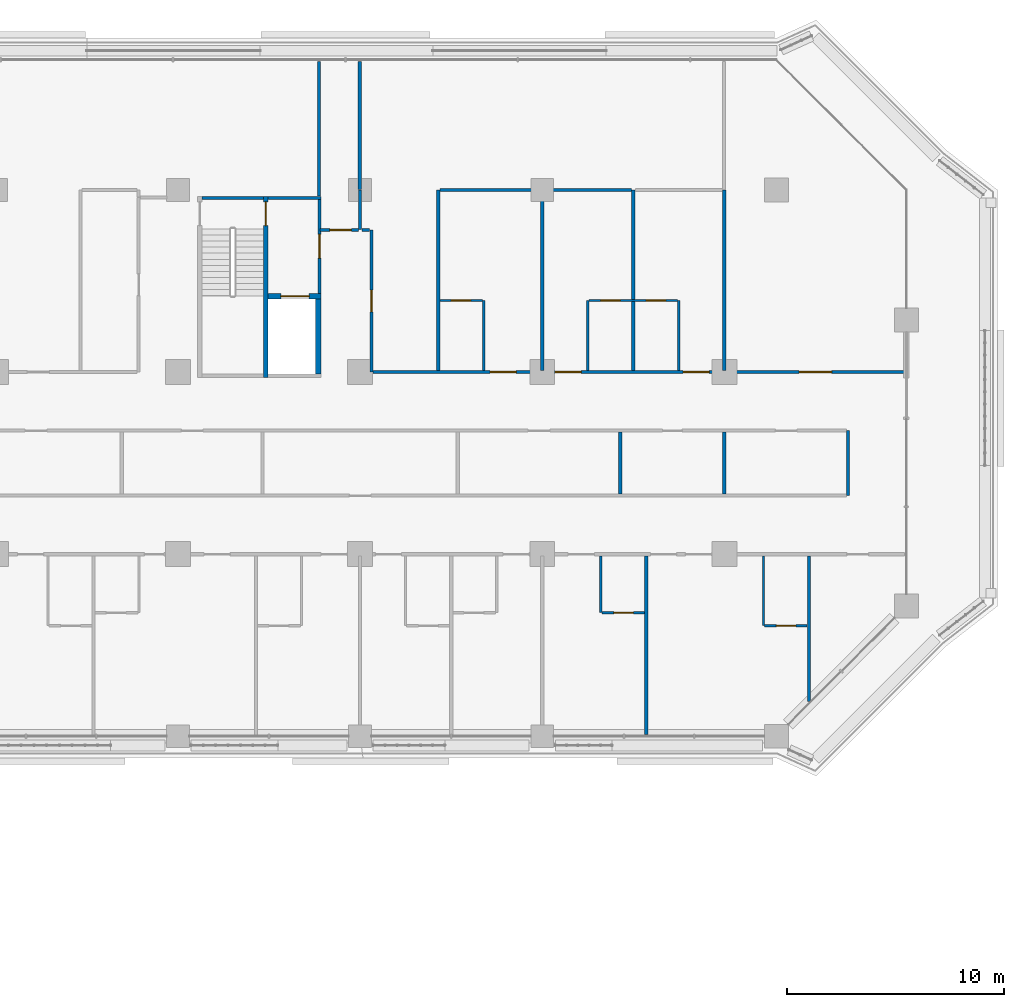
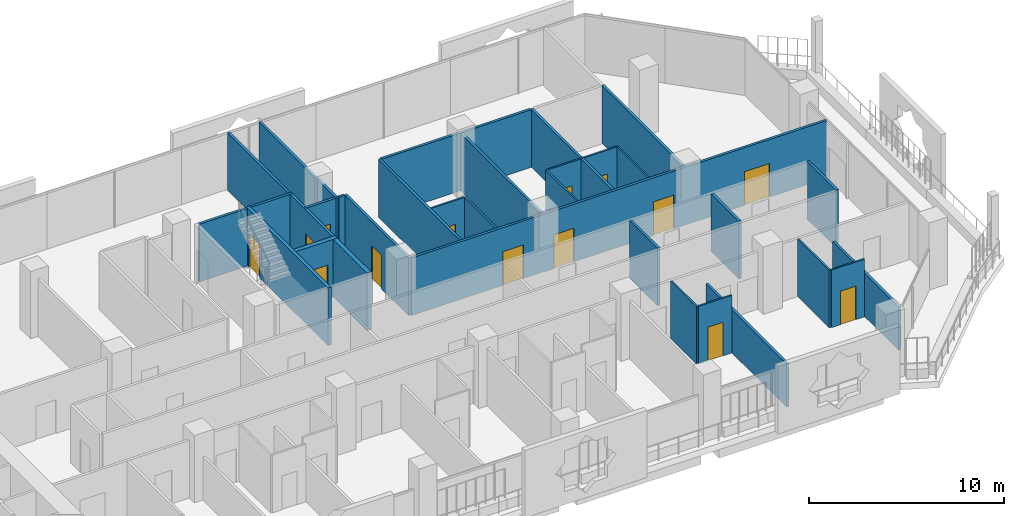
# One storey, part 17 of 25: 32 walls, 14 doors, 14 openings.
"""IFC4 building model written with IfcOpenShell, lengths in metres."""

import ifcopenshell
import ifcopenshell.guid

model = None  # the IFC model being written
_history = None  # IfcOwnerHistory: only IFC2X3 demands one
_inside = {}  # id of a spatial element -> (the spatial element, [elements in it])
_under = {}  # id of a project, library or spatial element -> (it, [spatial elements below it])
_declared = {}  # id of a project -> (the project, [libraries it declares])
_typed = {}  # id of a type object -> (the type object, [elements of that type])
_made_of = {}  # id of a material, layer set ... -> (it, [elements and type objects made of it])


def new_model(schema):
    """Start an empty IFC model of exactly this schema.

    Asked for "IFC4X3", IfcOpenShell would pick the latest addendum, in which some entities
    have other attributes; the version numbers below select the first issue.
    IFC2X3 requires an IfcOwnerHistory on every rooted entity: one is made here for all.
    """
    global model, _history
    if schema == "IFC4X3":
        model = ifcopenshell.file(schema_version=(4, 3, 0, 0))
    else:
        model = ifcopenshell.file(schema=schema)
    _inside.clear()
    _under.clear()
    _declared.clear()
    _typed.clear()
    _made_of.clear()
    _history = None
    if model.schema == "IFC2X3":
        org = make("IfcOrganization", Name="unknown")
        user = make(
            "IfcPersonAndOrganization",
            ThePerson=make("IfcPerson", FamilyName="unknown"),
            TheOrganization=org,
        )
        app = make(
            "IfcApplication",
            ApplicationDeveloper=org,
            Version="unknown",
            ApplicationFullName="unknown",
            ApplicationIdentifier="unknown",
        )
        _history = make(
            "IfcOwnerHistory",
            OwningUser=user,
            OwningApplication=app,
            ChangeAction="ADDED",
            CreationDate=0,
        )
    return model


def make(cls, **values):
    """One entity of the class cls with the attributes given. An attribute that is None is left unset."""
    return model.create_entity(
        cls, **{name: value for name, value in values.items() if value is not None}
    )


def rooted(cls, **values):
    """An entity with a GlobalId (a new one), such as an element, a storey or a relation."""
    return make(cls, GlobalId=ifcopenshell.guid.new(), OwnerHistory=_history, **values)


def si_unit(unit_type, name, prefix=None):
    """IfcSIUnit, for example si_unit("LENGTHUNIT", "METRE", prefix="MILLI")."""
    return make("IfcSIUnit", UnitType=unit_type, Prefix=prefix, Name=name)


def assignment(units):
    """IfcUnitAssignment: the units of a project."""
    return None if units is None else make("IfcUnitAssignment", Units=units)


def point(xyz):
    """IfcCartesianPoint."""
    return None if xyz is None else make("IfcCartesianPoint", Coordinates=xyz)


def direction(xyz):
    """IfcDirection."""
    return None if xyz is None else make("IfcDirection", DirectionRatios=xyz)


def frame(location, z_axis=None, x_axis=None):
    """IfcAxis2Placement3D, a coordinate frame: its origin and axes. An axis left out is left unset."""
    return make(
        "IfcAxis2Placement3D",
        Location=point(location),
        Axis=direction(z_axis),
        RefDirection=direction(x_axis),
    )


def frame_2d(location, x_axis=None):
    """IfcAxis2Placement2D, a coordinate frame in the plane: its origin and x axis."""
    return make(
        "IfcAxis2Placement2D", Location=point(location), RefDirection=direction(x_axis)
    )


def origin():
    """The frame at (0, 0, 0) with its axes left unset."""
    return frame((0.0, 0.0, 0.0))


def place(relative_to, where):
    """IfcLocalPlacement: puts the frame where relative to a parent placement (None: the world)."""
    return make(
        "IfcLocalPlacement", PlacementRelTo=relative_to, RelativePlacement=where
    )


def context(
    kind, dimensions, precision=None, world=None, true_north=None, identifier=None
):
    """IfcGeometricRepresentationContext, for example the 3D "Model" context."""
    return make(
        "IfcGeometricRepresentationContext",
        ContextIdentifier=identifier,
        ContextType=kind,
        CoordinateSpaceDimension=dimensions,
        Precision=precision,
        WorldCoordinateSystem=world,
        TrueNorth=true_north,
    )


def subcontext(parent, identifier, kind, view, scale=None):
    """IfcGeometricRepresentationSubContext, for example "Body" below "Model"."""
    return make(
        "IfcGeometricRepresentationSubContext",
        ContextIdentifier=identifier,
        ContextType=kind,
        ParentContext=parent,
        TargetScale=scale,
        TargetView=view,
    )


def project(units=None, contexts=None):
    """IfcProject with its units and contexts."""
    return rooted(
        "IfcProject",
        Name="project",
        RepresentationContexts=contexts,
        UnitsInContext=assignment(units),
    )


def spatial(cls, under=None, at=None, **own):
    """A site, building, storey or space (cls), placed at a placement, below another one or the project."""
    s = rooted(cls, ObjectPlacement=at, **own)
    if under is not None:
        _under.setdefault(under.id(), (under, []))[1].append(s)
    return s


def profile(cls, at=None, kind="AREA", **sizes):
    """A parametric profile (cls). Its sizes go by their IFC names, for example OverallWidth=200.0."""
    return make(cls, ProfileType=kind, Position=at, **sizes)


def rectangle(**sizes):
    """IfcRectangleProfileDef."""
    return profile("IfcRectangleProfileDef", **sizes)


def extrude(swept, where, along, depth):
    """IfcExtrudedAreaSolid: the profile swept, set in the frame where, extruded along a direction by depth."""
    return make(
        "IfcExtrudedAreaSolid",
        SweptArea=swept,
        Position=where,
        ExtrudedDirection=direction(along),
        Depth=depth,
    )


def shape(context_of_items, identifier, shape_type, items):
    """IfcShapeRepresentation: the items that make up one representation, for example the "Body"."""
    return make(
        "IfcShapeRepresentation",
        ContextOfItems=context_of_items,
        RepresentationIdentifier=identifier,
        RepresentationType=shape_type,
        Items=items,
    )


def material(Name=None, Category=None):
    """IfcMaterial."""
    return make("IfcMaterial", Name=Name, Category=Category)


def layer(
    of_material, thickness, ventilated=None, Name=None, Category=None, Priority=None
):
    """IfcMaterialLayer: one layer of a wall or slab, of a material (None: an air gap)."""
    return make(
        "IfcMaterialLayer",
        Material=of_material,
        LayerThickness=thickness,
        IsVentilated=ventilated,
        Name=Name,
        Category=Category,
        Priority=Priority,
    )


def layer_set(layers, Name=None):
    """IfcMaterialLayerSet."""
    return make("IfcMaterialLayerSet", MaterialLayers=layers, LayerSetName=Name)


def made_of(thing, what):
    """Note that an element or type object is made of a material, layer set ...; save() writes the relation."""
    if what is not None:
        _made_of.setdefault(what.id(), (what, []))[1].append(thing)
    return thing


def type_object(cls, material=None, **own):
    """A type object (cls), such as IfcWallType, which elements share."""
    return made_of(rooted(cls, **own), material)


def element(
    cls,
    number,
    at=None,
    inside=None,
    cuts=None,
    type_object=None,
    material=None,
    context=None,
    identifier="Body",
    shape_type=None,
    held_by="IfcProductDefinitionShape",
    body=None,
    shapes=None,
    **own,
):
    """One element of the class cls, such as IfcWall. Its Tag is "e" and its number.

    at: its placement. inside: the storey or other place that contains it. cuts: it is an
    opening in that element (IfcRelVoidsElement). A single representation is given by context,
    identifier, shape_type and body (its items); several are given by shapes. held_by: the class
    of the entity that holds the representations. save() writes the other relations.
    """
    e = rooted(cls, Tag="e%d" % number, ObjectPlacement=at, **own)
    if body is not None:
        shapes = [shape(context, identifier, shape_type, body)]
    if shapes is not None:
        e.Representation = make(held_by, Representations=shapes)
    if inside is not None:
        _inside.setdefault(inside.id(), (inside, []))[1].append(e)
    if cuts is not None:
        rooted(
            "IfcRelVoidsElement", RelatingBuildingElement=cuts, RelatedOpeningElement=e
        )
    if type_object is not None:
        _typed.setdefault(type_object.id(), (type_object, []))[1].append(e)
    return made_of(e, material)


def fill(opening, filler):
    """IfcRelFillsElement: the door or window that sits in an opening."""
    return rooted(
        "IfcRelFillsElement",
        RelatingOpeningElement=opening,
        RelatedBuildingElement=filler,
    )


def aggregate(whole, parts):
    """IfcRelAggregates: a whole, such as a stair, and the parts it consists of."""
    return rooted("IfcRelAggregates", RelatingObject=whole, RelatedObjects=parts)


def save(model, path):
    """Write the relations noted so far, then the file.

    IfcRelAggregates (storeys below a building ...), IfcRelContainedInSpatialStructure (elements
    in a storey), IfcRelDefinesByType, IfcRelAssociatesMaterial and IfcRelDeclares: one each for
    every whole, place, type object, material and project.
    """
    for whole, parts in _under.values():
        aggregate(whole, parts)
    for where, things in _inside.values():
        rooted(
            "IfcRelContainedInSpatialStructure",
            RelatedElements=things,
            RelatingStructure=where,
        )
    for kind, things in _typed.values():
        rooted("IfcRelDefinesByType", RelatedObjects=things, RelatingType=kind)
    for what, things in _made_of.values():
        rooted("IfcRelAssociatesMaterial", RelatedObjects=things, RelatingMaterial=what)
    for by, libraries in _declared.values():
        rooted("IfcRelDeclares", RelatingContext=by, RelatedDefinitions=libraries)
    model.write(path)


model = new_model("IFC4")

# Units and contexts
model_context = context("Model", 3, precision=1e-05, world=origin(), true_north=direction((0.0, 1.0)))
body_context = subcontext(model_context, "Body", "Model", "MODEL_VIEW")
ifc_project = project(units=[si_unit("LENGTHUNIT", "METRE"), si_unit("AREAUNIT", "SQUARE_METRE"), si_unit("VOLUMEUNIT", "CUBIC_METRE"), si_unit("PLANEANGLEUNIT", "RADIAN"), si_unit("MASSUNIT", "GRAM", prefix="KILO")], contexts=[model_context])

# Site, building, storey
site_placement = place(None, origin())
site = spatial("IfcSite", under=ifc_project, at=site_placement, CompositionType="ELEMENT")
building_placement = place(site_placement, origin())
building = spatial("IfcBuilding", under=site, at=building_placement, Name="Kawkab Arch Medical Tower", CompositionType="ELEMENT")
storey_placement = place(building_placement, frame((0.0, 0.0, 132.39990234375)))
storey = spatial("IfcBuildingStorey", under=building, at=storey_placement, Name="L30", CompositionType="ELEMENT", Elevation=132.39990234375)

# Wall, opening, door
ifc_material_1 = material(Name="Gypsum board on steel studs", Category="steel")
ifc_layer_1 = layer(ifc_material_1, 0.14990234375)
ifc_layer_set_1 = layer_set([ifc_layer_1], Name="Gypsum board on steel studs")
wall_type_1 = type_object("IfcWallType", Name="Core room partition 150", PredefinedType="PARTITIONING", material=ifc_layer_set_1)
wall_1_placement = place(storey_placement, frame((48.52490234375, -4.77490234375, 0.0), z_axis=(0.0, 0.0, 1.0), x_axis=(0.0, 1.0, 0.0)))
wall_1 = element("IfcWall", 1, at=wall_1_placement, inside=storey, type_object=wall_type_1, Name="L30 core room partition", PredefinedType="PARTITIONING", context=body_context, shape_type="SweptSolid", body=[
    extrude(rectangle(XDim=4.324951171875, YDim=0.14990234375, at=frame_2d((2.16259765625, 0.0))), origin(), (0.0, 0.0, 1.0), 3.60009765625),
])
opening_1_placement = place(wall_1_placement, frame((1.625, 0.0, 0.0)))
opening_1 = element("IfcOpeningElement", 2, at=opening_1_placement, cuts=wall_1, Name="Opening FD", PredefinedType="OPENING", context=body_context, shape_type="SweptSolid", body=[
    extrude(rectangle(XDim=1.10009765625, YDim=2.10009765625, at=frame_2d((0.550048828125, 1.050048828125))), frame((0.0, 0.0849609375, 0.0), z_axis=(0.0, -1.0, 0.0), x_axis=(1.0, 0.0, 0.0)), (0.0, 0.0, 1.0), 0.169921875),
])
ifc_material_2 = material(Name="Hollow metal fire door leaf")
door_type_1 = type_object("IfcDoorType", Name="Firefighting lobby door 1100", OperationType="SINGLE_SWING_LEFT", PredefinedType="DOOR", material=ifc_material_2)
door_1_placement = place(opening_1_placement, origin())
door_1 = element("IfcDoor", 3, at=door_1_placement, inside=storey, type_object=door_type_1, Name="L30 Service lift lobby door SV1", OperationType="SINGLE_SWING_LEFT", OverallHeight=2.10009765625, OverallWidth=1.10009765625, PredefinedType="DOOR", context=body_context, shape_type="SweptSolid", body=[
    extrude(rectangle(XDim=1.10009765625, YDim=2.10009765625, at=frame_2d((0.550048828125, 1.050048828125))), frame((0.0, 0.02490234375, 0.0), z_axis=(0.0, -1.0, 0.0), x_axis=(1.0, 0.0, 0.0)), (0.0, 0.0, 1.0), 0.050048828125),
])
fill(opening_1, door_1)

ifc_material_3 = material(Name="Concrete C60/75", Category="concrete")
ifc_layer_2 = layer(ifc_material_3, 0.25)
ifc_layer_set_2 = layer_set([ifc_layer_2], Name="Concrete C60/75")
wall_type_2 = type_object("IfcWallType", Name="Core shear wall 250 C60/75", PredefinedType="SHEAR", material=ifc_layer_set_2)
wall_2_placement = place(storey_placement, frame((46.14990234375, -4.89990234375, 0.0), z_axis=(0.0, 0.0, 1.0), x_axis=(1.0, 0.0, 0.0)))
wall_2 = element("IfcWall", 4, at=wall_2_placement, inside=storey, type_object=wall_type_2, Name="L30 core shear wall", PredefinedType="SHEAR", context=body_context, shape_type="SweptSolid", body=[
    extrude(rectangle(XDim=2.4501953125, YDim=0.25, at=frame_2d((1.22509765625, 0.0))), origin(), (0.0, 0.0, 1.0), 3.60009765625),
])
opening_2_placement = place(wall_2_placement, frame((0.60009765625, 0.0, 0.0)))
opening_2 = element("IfcOpeningElement", 5, at=opening_2_placement, cuts=wall_2, Name="Opening LD2", PredefinedType="OPENING", context=body_context, shape_type="SweptSolid", body=[
    extrude(rectangle(XDim=1.300048828125, YDim=2.10009765625, at=frame_2d((0.64990234375, 1.050048828125))), frame((0.0, 0.135009765625, 0.0), z_axis=(0.0, -1.0, 0.0), x_axis=(1.0, 0.0, 0.0)), (0.0, 0.0, 1.0), 0.27001953125),
])
ifc_material_4 = material(Name="Stainless steel lift door leaf", Category="steel")
door_type_2 = type_object("IfcDoorType", Name="Lift landing door 1300", OperationType="DOUBLE_DOOR_SLIDING", PredefinedType="DOOR", material=ifc_material_4)
door_2_placement = place(opening_2_placement, origin())
door_2 = element("IfcDoor", 6, at=door_2_placement, inside=storey, type_object=door_type_2, Name="L30 Lift landing door SV1", OperationType="DOUBLE_DOOR_SLIDING", OverallHeight=2.10009765625, OverallWidth=1.300048828125, PredefinedType="DOOR", context=body_context, shape_type="SweptSolid", body=[
    extrude(rectangle(XDim=1.300048828125, YDim=2.10009765625, at=frame_2d((0.64990234375, 1.050048828125))), frame((0.0, 0.02490234375, 0.0), z_axis=(0.0, -1.0, 0.0), x_axis=(1.0, 0.0, 0.0)), (0.0, 0.0, 1.0), 0.050048828125),
])
fill(opening_2, door_2)

# Wall
wall_3_placement = place(storey_placement, frame((48.47509765625, -8.5, 0.0), z_axis=(0.0, 0.0, 1.0), x_axis=(0.0, 1.0, 0.0)))
element("IfcWall", 7, at=wall_3_placement, inside=storey, type_object=wall_type_2, Name="L30 core shear wall", PredefinedType="SHEAR", context=body_context, shape_type="SweptSolid", body=[
    extrude(rectangle(XDim=3.47509765625, YDim=0.25, at=frame_2d((1.737548828125, 0.0))), origin(), (0.0, 0.0, 1.0), 3.60009765625),
])

# Wall, opening, door
ifc_material_5 = material(Name="Gypsum board partition on steel studs", Category="steel")
ifc_layer_3 = layer(ifc_material_5, 0.10009765625)
ifc_layer_set_3 = layer_set([ifc_layer_3], Name="Gypsum board partition on steel studs")
wall_type_3 = type_object("IfcWallType", Name="Partition 100", PredefinedType="PARTITIONING", material=ifc_layer_set_3)
wall_4_placement = place(storey_placement, frame((69.052001953125, -20.10009765625, 0.0), z_axis=(0.0, 0.0, 1.0), x_axis=(1.0, 0.0, 0.0)))
wall_4 = element("IfcWall", 8, at=wall_4_placement, inside=storey, type_object=wall_type_3, Name="Partition 100 w009", PredefinedType="PARTITIONING", context=body_context, shape_type="SweptSolid", body=[
    extrude(rectangle(XDim=1.972900390625, YDim=0.10009765625, at=frame_2d((0.986328125, 0.0))), origin(), (0.0, 0.0, 1.0), 3.60009765625),
])
opening_3_placement = place(wall_4_placement, frame((0.549072265625, 0.0, 0.0)))
opening_3 = element("IfcOpeningElement", 9, at=opening_3_placement, cuts=wall_4, Name="Opening W25-015", PredefinedType="OPENING", context=body_context, shape_type="SweptSolid", body=[
    extrude(rectangle(XDim=0.89990234375, YDim=2.10009765625, at=frame_2d((0.449951171875, 1.050048828125))), frame((0.0, 0.06005859375, 0.0), z_axis=(0.0, -1.0, 0.0), x_axis=(1.0, 0.0, 0.0)), (0.0, 0.0, 1.0), 0.1201171875),
])
ifc_material_6 = material(Name="Timber door leaf", Category="wood")
door_type_3 = type_object("IfcDoorType", Name="Single door 900x2100", OperationType="NOTDEFINED", PredefinedType="DOOR", material=ifc_material_6)
door_3_placement = place(opening_3_placement, origin())
door_3 = element("IfcDoor", 10, at=door_3_placement, inside=storey, type_object=door_type_3, Name="Door W25-015", OperationType="SINGLE_SWING_RIGHT", OverallHeight=2.10009765625, OverallWidth=0.89990234375, PredefinedType="DOOR", context=body_context, shape_type="SweptSolid", body=[
    extrude(rectangle(XDim=0.89990234375, YDim=2.10009765625, at=frame_2d((0.449951171875, 1.050048828125))), frame((0.0, 0.02490234375, 0.0), z_axis=(0.0, -1.0, 0.0), x_axis=(1.0, 0.0, 0.0)), (0.0, 0.0, 1.0), 0.050048828125),
])
fill(opening_3, door_3)

wall_5_placement = place(storey_placement, frame((61.550048828125, -19.5, 0.0), z_axis=(0.0, 0.0, 1.0), x_axis=(1.0, 0.0, 0.0)))
wall_5 = element("IfcWall", 11, at=wall_5_placement, inside=storey, type_object=wall_type_3, Name="Partition 100 w012", PredefinedType="PARTITIONING", context=body_context, shape_type="SweptSolid", body=[
    extrude(rectangle(XDim=1.974853515625, YDim=0.10009765625, at=frame_2d((0.9873046875, 0.0))), origin(), (0.0, 0.0, 1.0), 3.60009765625),
])
opening_4_placement = place(wall_5_placement, frame((0.550048828125, 0.0, 0.0)))
opening_4 = element("IfcOpeningElement", 12, at=opening_4_placement, cuts=wall_5, Name="Opening W25-014", PredefinedType="OPENING", context=body_context, shape_type="SweptSolid", body=[
    extrude(rectangle(XDim=0.89990234375, YDim=2.10009765625, at=frame_2d((0.449951171875, 1.050048828125))), frame((0.0, 0.06005859375, 0.0), z_axis=(0.0, -1.0, 0.0), x_axis=(1.0, 0.0, 0.0)), (0.0, 0.0, 1.0), 0.1201171875),
])
door_4_placement = place(opening_4_placement, origin())
door_4 = element("IfcDoor", 13, at=door_4_placement, inside=storey, type_object=door_type_3, Name="Door W25-014", OperationType="SINGLE_SWING_LEFT", OverallHeight=2.10009765625, OverallWidth=0.89990234375, PredefinedType="DOOR", context=body_context, shape_type="SweptSolid", body=[
    extrude(rectangle(XDim=0.89990234375, YDim=2.10009765625, at=frame_2d((0.449951171875, 1.050048828125))), frame((0.0, 0.02490234375, 0.0), z_axis=(0.0, -1.0, 0.0), x_axis=(1.0, 0.0, 0.0)), (0.0, 0.0, 1.0), 0.050048828125),
])
fill(opening_4, door_4)

wall_6_placement = place(storey_placement, frame((54.074951171875, -5.10009765625, 0.0), z_axis=(0.0, 0.0, 1.0), x_axis=(1.0, 0.0, 0.0)))
wall_6 = element("IfcWall", 14, at=wall_6_placement, inside=storey, type_object=wall_type_3, Name="Partition 100 w013", PredefinedType="PARTITIONING", context=body_context, shape_type="SweptSolid", body=[
    extrude(rectangle(XDim=1.97509765625, YDim=0.10009765625, at=frame_2d((0.987548828125, 0.0))), origin(), (0.0, 0.0, 1.0), 3.60009765625),
])
opening_5_placement = place(wall_6_placement, frame((0.52490234375, 0.0, 0.0)))
opening_5 = element("IfcOpeningElement", 15, at=opening_5_placement, cuts=wall_6, Name="Opening W25-005", PredefinedType="OPENING", context=body_context, shape_type="SweptSolid", body=[
    extrude(rectangle(XDim=0.89990234375, YDim=2.10009765625, at=frame_2d((0.449951171875, 1.050048828125))), frame((0.0, 0.06005859375, 0.0), z_axis=(0.0, -1.0, 0.0), x_axis=(1.0, 0.0, 0.0)), (0.0, 0.0, 1.0), 0.1201171875),
])
door_5_placement = place(opening_5_placement, origin())
door_5 = element("IfcDoor", 16, at=door_5_placement, inside=storey, type_object=door_type_3, Name="Door W25-005", OperationType="SINGLE_SWING_LEFT", OverallHeight=2.10009765625, OverallWidth=0.89990234375, PredefinedType="DOOR", context=body_context, shape_type="SweptSolid", body=[
    extrude(rectangle(XDim=0.89990234375, YDim=2.10009765625, at=frame_2d((0.449951171875, 1.050048828125))), frame((0.0, 0.02490234375, 0.0), z_axis=(0.0, -1.0, 0.0), x_axis=(1.0, 0.0, 0.0)), (0.0, 0.0, 1.0), 0.050048828125),
])
fill(opening_5, door_5)

# Wall, openings, doors
wall_7_placement = place(storey_placement, frame((60.949951171875, -5.10009765625, 0.0), z_axis=(0.0, 0.0, 1.0), x_axis=(1.0, 0.0, 0.0)))
wall_7 = element("IfcWall", 17, at=wall_7_placement, inside=storey, type_object=wall_type_3, Name="Partition 100 w014", PredefinedType="PARTITIONING", context=body_context, shape_type="SweptSolid", body=[
    extrude(rectangle(XDim=4.10009765625, YDim=0.10009765625, at=frame_2d((2.050048828125, 0.0))), origin(), (0.0, 0.0, 1.0), 3.60009765625),
])
opening_6_placement = place(wall_7_placement, frame((0.550048828125, 0.0, 0.0)))
opening_6 = element("IfcOpeningElement", 18, at=opening_6_placement, cuts=wall_7, Name="Opening W25-006", PredefinedType="OPENING", context=body_context, shape_type="SweptSolid", body=[
    extrude(rectangle(XDim=0.89990234375, YDim=2.10009765625, at=frame_2d((0.449951171875, 1.050048828125))), frame((0.0, 0.06005859375, 0.0), z_axis=(0.0, -1.0, 0.0), x_axis=(1.0, 0.0, 0.0)), (0.0, 0.0, 1.0), 0.1201171875),
])
opening_7_placement = place(wall_7_placement, frame((2.64990234375, 0.0, 0.0)))
opening_7 = element("IfcOpeningElement", 19, at=opening_7_placement, cuts=wall_7, Name="Opening W25-007", PredefinedType="OPENING", context=body_context, shape_type="SweptSolid", body=[
    extrude(rectangle(XDim=0.89990234375, YDim=2.10009765625, at=frame_2d((0.449951171875, 1.050048828125))), frame((0.0, 0.06005859375, 0.0), z_axis=(0.0, -1.0, 0.0), x_axis=(1.0, 0.0, 0.0)), (0.0, 0.0, 1.0), 0.1201171875),
])
door_6_placement = place(opening_6_placement, origin())
door_6 = element("IfcDoor", 20, at=door_6_placement, inside=storey, type_object=door_type_3, Name="Door W25-006", OperationType="SINGLE_SWING_LEFT", OverallHeight=2.10009765625, OverallWidth=0.89990234375, PredefinedType="DOOR", context=body_context, shape_type="SweptSolid", body=[
    extrude(rectangle(XDim=0.89990234375, YDim=2.10009765625, at=frame_2d((0.449951171875, 1.050048828125))), frame((0.0, 0.02490234375, 0.0), z_axis=(0.0, -1.0, 0.0), x_axis=(1.0, 0.0, 0.0)), (0.0, 0.0, 1.0), 0.050048828125),
])
fill(opening_6, door_6)
door_7_placement = place(opening_7_placement, origin())
door_7 = element("IfcDoor", 21, at=door_7_placement, inside=storey, type_object=door_type_3, Name="Door W25-007", OperationType="SINGLE_SWING_RIGHT", OverallHeight=2.10009765625, OverallWidth=0.89990234375, PredefinedType="DOOR", context=body_context, shape_type="SweptSolid", body=[
    extrude(rectangle(XDim=0.89990234375, YDim=2.10009765625, at=frame_2d((0.449951171875, 1.050048828125))), frame((0.0, 0.02490234375, 0.0), z_axis=(0.0, -1.0, 0.0), x_axis=(1.0, 0.0, 0.0)), (0.0, 0.0, 1.0), 0.050048828125),
])
fill(opening_7, door_7)

# Walls
for number, where, z_axis, x_axis, name in (
    (22, (56.10009765625, -8.324951171875, 0.0), (0.0, 0.0, 1.0), (0.0, 1.0, 0.0), "Partition 100 w022"),
    (23, (60.89990234375, -8.324951171875, 0.0), (0.0, 0.0, 1.0), (0.0, 1.0, 0.0), "Partition 100 w024"),
):
    element("IfcWall", number, at=place(storey_placement, frame(where, z_axis=z_axis, x_axis=x_axis)), inside=storey, type_object=wall_type_3, Name=name, PredefinedType="PARTITIONING", context=body_context, shape_type="SweptSolid", body=[
        extrude(rectangle(XDim=3.224853515625, YDim=0.10009765625, at=frame_2d((1.6123046875, 0.0))), origin(), (0.0, 0.0, 1.0), 3.60009765625),
    ])
wall_8_placement = place(storey_placement, frame((61.5, -19.5, 0.0), z_axis=(0.0, 0.0, 1.0), x_axis=(0.0, 1.0, 0.0)))
element("IfcWall", 24, at=wall_8_placement, inside=storey, type_object=wall_type_3, Name="Partition 100 w025", PredefinedType="PARTITIONING", context=body_context, shape_type="SweptSolid", body=[
    extrude(rectangle(XDim=2.625, YDim=0.10009765625, at=frame_2d((1.3125, 0.0))), origin(), (0.0, 0.0, 1.0), 3.60009765625),
])
wall_9_placement = place(storey_placement, frame((65.10009765625, -8.324951171875, 0.0), z_axis=(0.0, 0.0, 1.0), x_axis=(0.0, 1.0, 0.0)))
element("IfcWall", 25, at=wall_9_placement, inside=storey, type_object=wall_type_3, Name="Partition 100 w026", PredefinedType="PARTITIONING", context=body_context, shape_type="SweptSolid", body=[
    extrude(rectangle(XDim=3.224853515625, YDim=0.10009765625, at=frame_2d((1.6123046875, 0.0))), origin(), (0.0, 0.0, 1.0), 3.60009765625),
])
wall_10_placement = place(storey_placement, frame((69.0, -20.09912109375, 0.0), z_axis=(0.0, 0.0, 1.0), x_axis=(0.0, 1.0, 0.0)))
element("IfcWall", 26, at=wall_10_placement, inside=storey, type_object=wall_type_3, Name="Partition 100 w027", PredefinedType="PARTITIONING", context=body_context, shape_type="SweptSolid", body=[
    extrude(rectangle(XDim=3.22412109375, YDim=0.10009765625, at=frame_2d((1.612060546875, 0.0))), origin(), (0.0, 0.0, 1.0), 3.60009765625),
])

# Wall, openings, doors
ifc_material_7 = material(Name="Gypsum board partition on steel studs, mineral wool", Category="steel")
ifc_layer_4 = layer(ifc_material_7, 0.14990234375)
ifc_layer_set_4 = layer_set([ifc_layer_4], Name="Gypsum board partition on steel studs, mineral wool")
wall_type_4 = type_object("IfcWallType", Name="Partition 150", PredefinedType="PARTITIONING", material=ifc_layer_set_4)
wall_11_placement = place(storey_placement, frame((51.0, -8.39990234375, 0.0), z_axis=(0.0, 0.0, 1.0), x_axis=(1.0, 0.0, 0.0)))
wall_11 = element("IfcWall", 27, at=wall_11_placement, inside=storey, type_object=wall_type_4, Name="Partition 150 w047", PredefinedType="PARTITIONING", context=body_context, shape_type="SweptSolid", body=[
    extrude(rectangle(XDim=24.52001953125, YDim=0.14990234375, at=frame_2d((12.260009765625, 0.0))), origin(), (0.0, 0.0, 1.0), 3.60009765625),
])
opening_8_placement = place(wall_11_placement, frame((5.39990234375, 0.0, 0.0)))
opening_8 = element("IfcOpeningElement", 28, at=opening_8_placement, cuts=wall_11, Name="Opening W25-040", PredefinedType="OPENING", context=body_context, shape_type="SweptSolid", body=[
    extrude(rectangle(XDim=1.199951171875, YDim=2.10009765625, at=frame_2d((0.60009765625, 1.050048828125))), frame((0.0, 0.0849609375, 0.0), z_axis=(0.0, -1.0, 0.0), x_axis=(1.0, 0.0, 0.0)), (0.0, 0.0, 1.0), 0.169921875),
])
opening_9_placement = place(wall_11_placement, frame((8.39990234375, 0.0, 0.0)))
opening_9 = element("IfcOpeningElement", 29, at=opening_9_placement, cuts=wall_11, Name="Opening W25-041", PredefinedType="OPENING", context=body_context, shape_type="SweptSolid", body=[
    extrude(rectangle(XDim=1.199951171875, YDim=2.10009765625, at=frame_2d((0.60009765625, 1.050048828125))), frame((0.0, 0.0849609375, 0.0), z_axis=(0.0, -1.0, 0.0), x_axis=(1.0, 0.0, 0.0)), (0.0, 0.0, 1.0), 0.169921875),
])
opening_10_placement = place(wall_11_placement, frame((14.300048828125, 0.0, 0.0)))
opening_10 = element("IfcOpeningElement", 30, at=opening_10_placement, cuts=wall_11, Name="Opening W25-042", PredefinedType="OPENING", context=body_context, shape_type="SweptSolid", body=[
    extrude(rectangle(XDim=1.199951171875, YDim=2.10009765625, at=frame_2d((0.60009765625, 1.050048828125))), frame((0.0, 0.0849609375, 0.0), z_axis=(0.0, -1.0, 0.0), x_axis=(1.0, 0.0, 0.0)), (0.0, 0.0, 1.0), 0.169921875),
])
opening_11_placement = place(wall_11_placement, frame((19.64990234375, 0.0, 0.0)))
opening_11 = element("IfcOpeningElement", 31, at=opening_11_placement, cuts=wall_11, Name="Opening W25-002", PredefinedType="OPENING", context=body_context, shape_type="SweptSolid", body=[
    extrude(rectangle(XDim=1.5, YDim=2.10009765625, at=frame_2d((0.75, 1.050048828125))), frame((0.0, 0.0849609375, 0.0), z_axis=(0.0, -1.0, 0.0), x_axis=(1.0, 0.0, 0.0)), (0.0, 0.0, 1.0), 0.169921875),
])
ifc_material_8 = material(Name="Hollow metal door leaf")
door_type_4 = type_object("IfcDoorType", Name="Double door 1500x2100 FD30S", OperationType="NOTDEFINED", PredefinedType="DOOR", material=ifc_material_8)
door_8_placement = place(opening_11_placement, origin())
door_8 = element("IfcDoor", 32, at=door_8_placement, inside=storey, type_object=door_type_4, Name="Door W25-002", OperationType="DOUBLE_DOOR_SINGLE_SWING", OverallHeight=2.10009765625, OverallWidth=1.5, PredefinedType="DOOR", context=body_context, shape_type="SweptSolid", body=[
    extrude(rectangle(XDim=1.5, YDim=2.10009765625, at=frame_2d((0.75, 1.050048828125))), frame((0.0, 0.02490234375, 0.0), z_axis=(0.0, -1.0, 0.0), x_axis=(1.0, 0.0, 0.0)), (0.0, 0.0, 1.0), 0.050048828125),
])
fill(opening_11, door_8)
ifc_material_9 = material(Name="Hollow metal door leaf")
door_type_5 = type_object("IfcDoorType", Name="Single door 1200x2100 FD30S", OperationType="NOTDEFINED", PredefinedType="DOOR", material=ifc_material_9)
door_9_placement = place(opening_8_placement, origin())
door_9 = element("IfcDoor", 33, at=door_9_placement, inside=storey, type_object=door_type_5, Name="Door W25-040", OperationType="SINGLE_SWING_LEFT", OverallHeight=2.10009765625, OverallWidth=1.199951171875, PredefinedType="DOOR", context=body_context, shape_type="SweptSolid", body=[
    extrude(rectangle(XDim=1.199951171875, YDim=2.10009765625, at=frame_2d((0.60009765625, 1.050048828125))), frame((0.0, 0.02490234375, 0.0), z_axis=(0.0, -1.0, 0.0), x_axis=(1.0, 0.0, 0.0)), (0.0, 0.0, 1.0), 0.050048828125),
])
fill(opening_8, door_9)
door_10_placement = place(opening_9_placement, origin())
door_10 = element("IfcDoor", 34, at=door_10_placement, inside=storey, type_object=door_type_5, Name="Door W25-041", OperationType="SINGLE_SWING_LEFT", OverallHeight=2.10009765625, OverallWidth=1.199951171875, PredefinedType="DOOR", context=body_context, shape_type="SweptSolid", body=[
    extrude(rectangle(XDim=1.199951171875, YDim=2.10009765625, at=frame_2d((0.60009765625, 1.050048828125))), frame((0.0, 0.02490234375, 0.0), z_axis=(0.0, -1.0, 0.0), x_axis=(1.0, 0.0, 0.0)), (0.0, 0.0, 1.0), 0.050048828125),
])
fill(opening_9, door_10)
door_11_placement = place(opening_10_placement, origin())
door_11 = element("IfcDoor", 35, at=door_11_placement, inside=storey, type_object=door_type_5, Name="Door W25-042", OperationType="SINGLE_SWING_RIGHT", OverallHeight=2.10009765625, OverallWidth=1.199951171875, PredefinedType="DOOR", context=body_context, shape_type="SweptSolid", body=[
    extrude(rectangle(XDim=1.199951171875, YDim=2.10009765625, at=frame_2d((0.60009765625, 1.050048828125))), frame((0.0, 0.02490234375, 0.0), z_axis=(0.0, -1.0, 0.0), x_axis=(1.0, 0.0, 0.0)), (0.0, 0.0, 1.0), 0.050048828125),
])
fill(opening_10, door_11)

# Wall, opening, door
wall_12_placement = place(storey_placement, frame((48.550048828125, -1.85009765625, 0.0), z_axis=(0.0, 0.0, 1.0), x_axis=(1.0, 0.0, 0.0)))
wall_12 = element("IfcWall", 36, at=wall_12_placement, inside=storey, type_object=wall_type_4, Name="Partition 150 w048", PredefinedType="PARTITIONING", context=body_context, shape_type="SweptSolid", body=[
    extrude(rectangle(XDim=1.77490234375, YDim=0.14990234375, at=frame_2d((0.887451171875, 0.0))), origin(), (0.0, 0.0, 1.0), 3.60009765625),
])
opening_12_placement = place(wall_12_placement, frame((0.449951171875, 0.0, 0.0)))
opening_12 = element("IfcOpeningElement", 37, at=opening_12_placement, cuts=wall_12, Name="Opening W25-026", PredefinedType="OPENING", context=body_context, shape_type="SweptSolid", body=[
    extrude(rectangle(XDim=1.0, YDim=2.10009765625, at=frame_2d((0.5, 1.050048828125))), frame((0.0, 0.0849609375, 0.0), z_axis=(0.0, -1.0, 0.0), x_axis=(1.0, 0.0, 0.0)), (0.0, 0.0, 1.0), 0.169921875),
])
ifc_material_10 = material(Name="Hollow metal door leaf")
door_type_6 = type_object("IfcDoorType", Name="Single door 1000x2100 FD30S", OperationType="NOTDEFINED", PredefinedType="DOOR", material=ifc_material_10)
door_12_placement = place(opening_12_placement, origin())
door_12 = element("IfcDoor", 38, at=door_12_placement, inside=storey, type_object=door_type_6, Name="Door W25-026", OperationType="SINGLE_SWING_RIGHT", OverallHeight=2.10009765625, OverallWidth=1.0, PredefinedType="DOOR", context=body_context, shape_type="SweptSolid", body=[
    extrude(rectangle(XDim=1.0, YDim=2.10009765625, at=frame_2d((0.5, 1.050048828125))), frame((0.0, 0.02490234375, 0.0), z_axis=(0.0, -1.0, 0.0), x_axis=(1.0, 0.0, 0.0)), (0.0, 0.0, 1.0), 0.050048828125),
])
fill(opening_12, door_12)

# Walls
wall_13_placement = place(storey_placement, frame((50.4951171875, -1.85009765625, 0.0), z_axis=(0.0, 0.0, 1.0), x_axis=(1.0, 0.0, 0.0)))
element("IfcWall", 39, at=wall_13_placement, inside=storey, type_object=wall_type_4, Name="Partition 150 w049", PredefinedType="PARTITIONING", context=body_context, shape_type="SweptSolid", body=[
    extrude(rectangle(XDim=0.3349609375, YDim=0.14990234375, at=frame_2d((0.16748046875, 0.0))), origin(), (0.0, 0.0, 1.0), 3.60009765625),
])
wall_14_placement = place(storey_placement, frame((54.0791015625, 0.0, 0.0), z_axis=(0.0, 0.0, 1.0), x_axis=(1.0, 0.0, 0.0)))
element("IfcWall", 40, at=wall_14_placement, inside=storey, type_object=wall_type_4, Name="Partition 150 w052", PredefinedType="PARTITIONING", context=body_context, shape_type="SweptSolid", body=[
    extrude(rectangle(XDim=8.845947265625, YDim=0.14990234375, at=frame_2d((4.4228515625, 0.0))), origin(), (0.0, 0.0, 1.0), 3.60009765625),
])
wall_15_placement = place(storey_placement, frame((48.5, -0.27001953125, 0.0), z_axis=(0.0, 0.0, 1.0), x_axis=(0.0, 1.0, 0.0)))
element("IfcWall", 41, at=wall_15_placement, inside=storey, type_object=wall_type_4, Name="Partition 150 w074", PredefinedType="PARTITIONING", context=body_context, shape_type="SweptSolid", body=[
    extrude(rectangle(XDim=6.18994140625, YDim=0.14990234375, at=frame_2d((3.094970703125, 0.0))), origin(), (0.0, 0.0, 1.0), 3.60009765625),
])
wall_16_placement = place(storey_placement, frame((50.3798828125, 0.02001953125, 0.0), z_axis=(0.0, 0.0, 1.0), x_axis=(0.0, 1.0, 0.0)))
element("IfcWall", 42, at=wall_16_placement, inside=storey, type_object=wall_type_4, Name="Partition 150 w075", PredefinedType="PARTITIONING", context=body_context, shape_type="SweptSolid", body=[
    extrude(rectangle(XDim=5.89990234375, YDim=0.14990234375, at=frame_2d((2.949951171875, 0.0))), origin(), (0.0, 0.0, 1.0), 3.60009765625),
])
wall_17_placement = place(storey_placement, frame((50.39990234375, -1.830078125, 0.0), z_axis=(0.0, 0.0, 1.0), x_axis=(0.0, 1.0, 0.0)))
element("IfcWall", 43, at=wall_17_placement, inside=storey, type_object=wall_type_4, Name="Partition 150 w077", PredefinedType="PARTITIONING", context=body_context, shape_type="SweptSolid", body=[
    extrude(rectangle(XDim=1.8251953125, YDim=0.14990234375, at=frame_2d((0.91259765625, 0.0))), origin(), (0.0, 0.0, 1.0), 3.60009765625),
])

# Wall, opening, door
wall_18_placement = place(storey_placement, frame((50.925048828125, -8.39990234375, 0.0), z_axis=(0.0, 0.0, 1.0), x_axis=(0.0, 1.0, 0.0)))
wall_18 = element("IfcWall", 44, at=wall_18_placement, inside=storey, type_object=wall_type_4, Name="Partition 150 w078", PredefinedType="PARTITIONING", context=body_context, shape_type="SweptSolid", body=[
    extrude(rectangle(XDim=6.5478515625, YDim=0.14990234375, at=frame_2d((3.27392578125, 0.0))), origin(), (0.0, 0.0, 1.0), 3.60009765625),
])
opening_13_placement = place(wall_18_placement, frame((2.77392578125, 0.0, 0.0)))
opening_13 = element("IfcOpeningElement", 45, at=opening_13_placement, cuts=wall_18, Name="Opening W25-027", PredefinedType="OPENING", context=body_context, shape_type="SweptSolid", body=[
    extrude(rectangle(XDim=1.0, YDim=2.10009765625, at=frame_2d((0.5, 1.050048828125))), frame((0.0, 0.0849609375, 0.0), z_axis=(0.0, -1.0, 0.0), x_axis=(1.0, 0.0, 0.0)), (0.0, 0.0, 1.0), 0.169921875),
])
door_13_placement = place(opening_13_placement, origin())
door_13 = element("IfcDoor", 46, at=door_13_placement, inside=storey, type_object=door_type_6, Name="Door W25-027", OperationType="SINGLE_SWING_RIGHT", OverallHeight=2.10009765625, OverallWidth=1.0, PredefinedType="DOOR", context=body_context, shape_type="SweptSolid", body=[
    extrude(rectangle(XDim=1.0, YDim=2.10009765625, at=frame_2d((0.5, 1.050048828125))), frame((0.0, 0.02490234375, 0.0), z_axis=(0.0, -1.0, 0.0), x_axis=(1.0, 0.0, 0.0)), (0.0, 0.0, 1.0), 0.050048828125),
])
fill(opening_13, door_13)

# Walls
wall_19_placement = place(storey_placement, frame((54.0, -8.324951171875, 0.0), z_axis=(0.0, 0.0, 1.0), x_axis=(0.0, 1.0, 0.0)))
element("IfcWall", 47, at=wall_19_placement, inside=storey, type_object=wall_type_4, Name="Partition 150 w079", PredefinedType="PARTITIONING", context=body_context, shape_type="SweptSolid", body=[
    extrude(rectangle(XDim=8.322021484375, YDim=0.14990234375, at=frame_2d((4.1611328125, 0.0))), origin(), (0.0, 0.0, 1.0), 3.60009765625),
])
wall_20_placement = place(storey_placement, frame((58.800048828125, -8.324951171875, 0.0), z_axis=(0.0, 0.0, 1.0), x_axis=(0.0, 1.0, 0.0)))
element("IfcWall", 48, at=wall_20_placement, inside=storey, type_object=wall_type_4, Name="Partition 150 w083", PredefinedType="PARTITIONING", context=body_context, shape_type="SweptSolid", body=[
    extrude(rectangle(XDim=8.25, YDim=0.14990234375, at=frame_2d((4.125, 0.0))), origin(), (0.0, 0.0, 1.0), 3.60009765625),
])
wall_21_placement = place(storey_placement, frame((62.39990234375, -14.02490234375, 0.0), z_axis=(0.0, 0.0, 1.0), x_axis=(0.0, 1.0, 0.0)))
element("IfcWall", 49, at=wall_21_placement, inside=storey, type_object=wall_type_4, Name="Partition 150 w084", PredefinedType="PARTITIONING", context=body_context, shape_type="SweptSolid", body=[
    extrude(rectangle(XDim=2.849853515625, YDim=0.14990234375, at=frame_2d((1.4248046875, 0.0))), origin(), (0.0, 0.0, 1.0), 3.60009765625),
])
wall_22_placement = place(storey_placement, frame((63.0, -8.324951171875, 0.0), z_axis=(0.0, 0.0, 1.0), x_axis=(0.0, 1.0, 0.0)))
element("IfcWall", 50, at=wall_22_placement, inside=storey, type_object=wall_type_4, Name="Partition 150 w085", PredefinedType="PARTITIONING", context=body_context, shape_type="SweptSolid", body=[
    extrude(rectangle(XDim=8.324951171875, YDim=0.14990234375, at=frame_2d((4.16259765625, 0.0))), origin(), (0.0, 0.0, 1.0), 3.60009765625),
])
wall_23_placement = place(storey_placement, frame((63.60009765625, -25.1201171875, 0.0), z_axis=(0.0, 0.0, 1.0), x_axis=(0.0, 1.0, 0.0)))
element("IfcWall", 51, at=wall_23_placement, inside=storey, type_object=wall_type_4, Name="Partition 150 w086", PredefinedType="PARTITIONING", context=body_context, shape_type="SweptSolid", body=[
    extrude(rectangle(XDim=8.2451171875, YDim=0.14990234375, at=frame_2d((4.12255859375, 0.0))), origin(), (0.0, 0.0, 1.0), 2.7001953125),
])
wall_24_placement = place(storey_placement, frame((67.199951171875, -14.02490234375, 0.0), z_axis=(0.0, 0.0, 1.0), x_axis=(0.0, 1.0, 0.0)))
element("IfcWall", 52, at=wall_24_placement, inside=storey, type_object=wall_type_4, Name="Partition 150 w088", PredefinedType="PARTITIONING", context=body_context, shape_type="SweptSolid", body=[
    extrude(rectangle(XDim=2.849853515625, YDim=0.14990234375, at=frame_2d((1.4248046875, 0.0))), origin(), (0.0, 0.0, 1.0), 3.60009765625),
])
wall_25_placement = place(storey_placement, frame((67.199951171875, -8.324951171875, 0.0), z_axis=(0.0, 0.0, 1.0), x_axis=(0.0, 1.0, 0.0)))
element("IfcWall", 53, at=wall_25_placement, inside=storey, type_object=wall_type_4, Name="Partition 150 w089", PredefinedType="PARTITIONING", context=body_context, shape_type="SweptSolid", body=[
    extrude(rectangle(XDim=8.322998046875, YDim=0.14990234375, at=frame_2d((4.16162109375, 0.0))), origin(), (0.0, 0.0, 1.0), 3.60009765625),
])
wall_26_placement = place(storey_placement, frame((71.10009765625, -23.5869140625, 0.0), z_axis=(0.0, 0.0, 1.0), x_axis=(0.0, 1.0, 0.0)))
element("IfcWall", 54, at=wall_26_placement, inside=storey, type_object=wall_type_4, Name="Partition 150 w090", PredefinedType="PARTITIONING", context=body_context, shape_type="SweptSolid", body=[
    extrude(rectangle(XDim=6.7119140625, YDim=0.14990234375, at=frame_2d((3.35595703125, 0.0))), origin(), (0.0, 0.0, 1.0), 2.7001953125),
])
wall_27_placement = place(storey_placement, frame((72.89990234375, -14.10009765625, 0.0), z_axis=(0.0, 0.0, 1.0), x_axis=(0.0, 1.0, 0.0)))
element("IfcWall", 55, at=wall_27_placement, inside=storey, type_object=wall_type_4, Name="Partition 150 w091", PredefinedType="PARTITIONING", context=body_context, shape_type="SweptSolid", body=[
    extrude(rectangle(XDim=3.0, YDim=0.14990234375, at=frame_2d((1.5, 0.0))), origin(), (0.0, 0.0, 1.0), 3.60009765625),
])
ifc_material_11 = material(Name="Concrete C50/60", Category="concrete")
ifc_layer_5 = layer(ifc_material_11, 0.14990234375)
ifc_layer_set_5 = layer_set([ifc_layer_5], Name="Concrete C50/60")
wall_type_5 = type_object("IfcWallType", Name="Stair enclosure wall 150 C50/60", PredefinedType="SHEAR", material=ifc_layer_set_5)
wall_28_placement = place(storey_placement, frame((43.10009765625, -0.375, 0.0), z_axis=(0.0, 0.0, 1.0), x_axis=(1.0, 0.0, 0.0)))
element("IfcWall", 56, at=wall_28_placement, inside=storey, type_object=wall_type_5, Name="L30 stair enclosure wall", PredefinedType="SHEAR", context=body_context, shape_type="SweptSolid", body=[
    extrude(rectangle(XDim=2.849853515625, YDim=0.14990234375, at=frame_2d((1.4248046875, 0.0))), origin(), (0.0, 0.0, 1.0), 3.60009765625),
])
wall_29_placement = place(storey_placement, frame((46.14990234375, -0.375, 0.0), z_axis=(0.0, 0.0, 1.0), x_axis=(1.0, 0.0, 0.0)))
element("IfcWall", 57, at=wall_29_placement, inside=storey, type_object=wall_type_5, Name="L30 stair enclosure wall", PredefinedType="SHEAR", context=body_context, shape_type="SweptSolid", body=[
    extrude(rectangle(XDim=2.4501953125, YDim=0.14990234375, at=frame_2d((1.22509765625, 0.0))), origin(), (0.0, 0.0, 1.0), 3.60009765625),
])

# Wall, opening, door
ifc_material_12 = material(Name="Concrete C50/60", Category="concrete")
ifc_layer_6 = layer(ifc_material_12, 0.199951171875)
ifc_layer_set_6 = layer_set([ifc_layer_6], Name="Concrete C50/60")
wall_type_6 = type_object("IfcWallType", Name="Stair enclosure wall 200 C50/60", PredefinedType="SHEAR", material=ifc_layer_set_6)
wall_30_placement = place(storey_placement, frame((46.050048828125, -8.64990234375, 0.0), z_axis=(0.0, 0.0, 1.0), x_axis=(0.0, 1.0, 0.0)))
wall_30 = element("IfcWall", 58, at=wall_30_placement, inside=storey, type_object=wall_type_6, Name="L30 stair enclosure wall", PredefinedType="SHEAR", context=body_context, shape_type="SweptSolid", body=[
    extrude(rectangle(XDim=8.349853515625, YDim=0.199951171875, at=frame_2d((4.1748046875, 0.0))), origin(), (0.0, 0.0, 1.0), 3.60009765625),
])
opening_14_placement = place(wall_30_placement, frame((7.0, 0.0, 0.0)))
opening_14 = element("IfcOpeningElement", 59, at=opening_14_placement, cuts=wall_30, Name="Opening SD", PredefinedType="OPENING", context=body_context, shape_type="SweptSolid", body=[
    extrude(rectangle(XDim=1.10009765625, YDim=2.10009765625, at=frame_2d((0.550048828125, 1.050048828125))), frame((0.0, 0.10986328125, 0.0), z_axis=(0.0, -1.0, 0.0), x_axis=(1.0, 0.0, 0.0)), (0.0, 0.0, 1.0), 0.219970703125),
])
ifc_material_13 = material(Name="Hollow metal fire door leaf")
door_type_7 = type_object("IfcDoorType", Name="Exit stair door 1100", OperationType="SINGLE_SWING_LEFT", PredefinedType="DOOR", material=ifc_material_13)
door_14_placement = place(opening_14_placement, origin())
door_14 = element("IfcDoor", 60, at=door_14_placement, inside=storey, type_object=door_type_7, Name="L30 Exit stair ST5 lobby door", OperationType="SINGLE_SWING_LEFT", OverallHeight=2.10009765625, OverallWidth=1.10009765625, PredefinedType="DOOR", context=body_context, shape_type="SweptSolid", body=[
    extrude(rectangle(XDim=1.10009765625, YDim=2.10009765625, at=frame_2d((0.550048828125, 1.050048828125))), frame((0.0, 0.02490234375, 0.0), z_axis=(0.0, -1.0, 0.0), x_axis=(1.0, 0.0, 0.0)), (0.0, 0.0, 1.0), 0.050048828125),
])
fill(opening_14, door_14)

save(model, "model.ifc")
